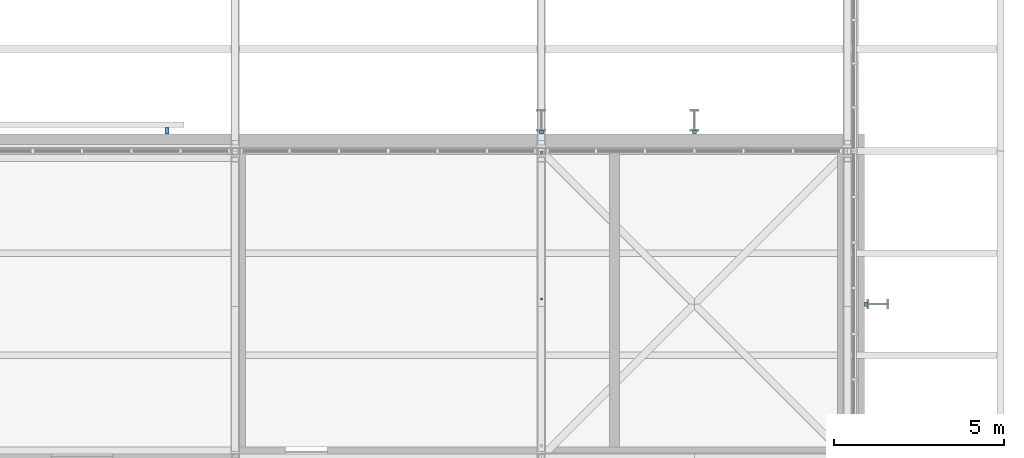
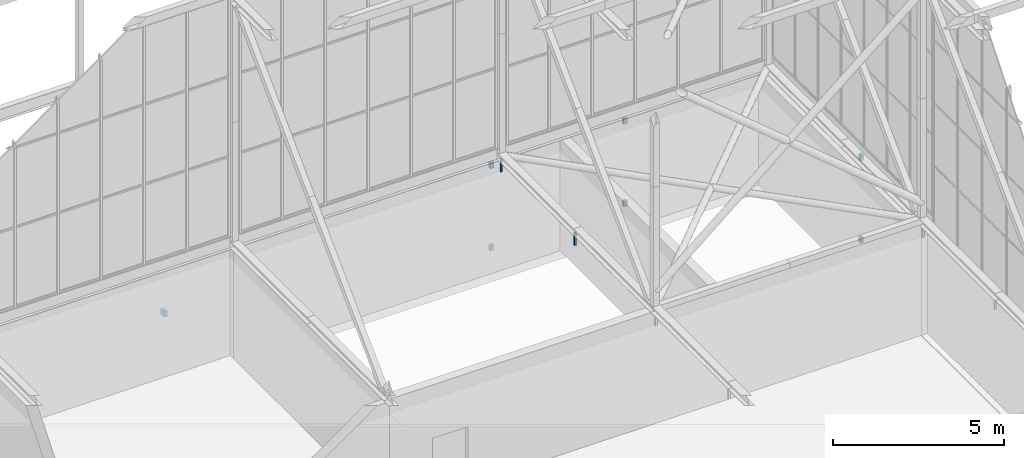
# One storey, part 234 of 646: 9 discrete accessories.
"""IFC4 building model written with IfcOpenShell, lengths in metres."""

from ifc_helpers import new_model, si_unit, direction, frame, origin, origin_2d, place, context, subcontext, project, spatial, rectangle, extrude, material, type_object, element, save


model = new_model("IFC4")

# Units and contexts
model_context = context("Model", 3, precision=1e-05, world=origin(), true_north=direction((0.0, 1.0)))
body_context = subcontext(model_context, "Body", "Model", "MODEL_VIEW")
ifc_project = project(units=[si_unit("LENGTHUNIT", "METRE"), si_unit("AREAUNIT", "SQUARE_METRE"), si_unit("VOLUMEUNIT", "CUBIC_METRE"), si_unit("PLANEANGLEUNIT", "RADIAN"), si_unit("MASSUNIT", "GRAM", prefix="KILO")], contexts=[model_context])

# Site, building, storey
site_placement = place(None, origin())
site = spatial("IfcSite", under=ifc_project, at=site_placement, CompositionType="ELEMENT")
building_placement = place(site_placement, origin())
building = spatial("IfcBuilding", under=site, at=building_placement, Name="Silverbay Arena", CompositionType="ELEMENT")
storey_placement = place(building_placement, frame((0.0, 0.0, 33.5)))
storey = spatial("IfcBuildingStorey", under=building, at=storey_placement, Name="L05", CompositionType="ELEMENT", Elevation=33.5)

# Discrete accessories
ifc_material_1 = material(Name="Steel S355", Category="steel")
discrete_accessory_type_1 = type_object("IfcDiscreteAccessoryType", Name="Ceiling hanger", PredefinedType="BRACKET", material=ifc_material_1)
for number, where, z_axis, x_axis, name in (
    (1, (198.0, 139.64990234375, 3.5498046875), (0.0, 0.0, 1.0), (1.0, 0.0, 0.0), "Ceiling hanger"),
    (2, (198.0, 143.9599609375, 3.5498046875), (0.0, 0.0, 1.0), (1.0, 0.0, 0.0), "Ceiling hanger"),
):
    element("IfcDiscreteAccessory", number, at=place(storey_placement, frame(where, z_axis=z_axis, x_axis=x_axis)), inside=storey, type_object=discrete_accessory_type_1, Name=name, PredefinedType="BRACKET", context=body_context, shape_type="SweptSolid", body=[
        extrude(rectangle(XDim=0.06005859375, YDim=0.06005859375, at=origin_2d()), origin(), (0.0, 0.0, 1.0), 0.449951171875),
    ])
ifc_material_2 = material(Name="Steel S355", Category="steel")
discrete_accessory_type_2 = type_object("IfcDiscreteAccessoryType", Name="Steel bracket plate", PredefinedType="BRACKET", material=ifc_material_2)
discrete_accessory_placement = place(storey_placement, frame((187.0, 144.60009765625, 1.89990234375), z_axis=(0.0, 0.0, 1.0), x_axis=(1.0, 0.0, 0.0)))
element("IfcDiscreteAccessory", 3, at=discrete_accessory_placement, inside=storey, type_object=discrete_accessory_type_2, Name="Louvre support bracket", PredefinedType="BRACKET", context=body_context, shape_type="SweptSolid", body=[
    extrude(rectangle(XDim=0.1201171875, YDim=0.199951171875, at=origin_2d()), origin(), (0.0, 0.0, 1.0), 0.199951171875),
])
for number, where, z_axis, x_axis, name in (
    (4, (207.550048828125, 139.5, 0.39990234375), (0.0, 0.0, 1.0), (1.0, 0.0, 0.0), "Fin bracket"),
    (5, (207.550048828125, 139.5, 3.33984375), (0.0, 0.0, 1.0), (1.0, 0.0, 0.0), "Fin bracket"),
):
    element("IfcDiscreteAccessory", number, at=place(storey_placement, frame(where, z_axis=z_axis, x_axis=x_axis)), inside=storey, type_object=discrete_accessory_type_2, Name=name, PredefinedType="BRACKET", context=body_context, shape_type="SweptSolid", body=[
        extrude(rectangle(XDim=0.10009765625, YDim=0.1201171875, at=origin_2d()), origin(), (0.0, 0.0, 1.0), 0.199951171875),
    ])
for number, where, z_axis, x_axis, name in (
    (6, (198.0, 144.550048828125, 0.39990234375), (0.0, 0.0, 1.0), (1.0, 0.0, 0.0), "Fin bracket"),
    (7, (198.0, 144.550048828125, 3.33984375), (0.0, 0.0, 1.0), (1.0, 0.0, 0.0), "Fin bracket"),
    (8, (202.5, 144.550048828125, 0.39990234375), (0.0, 0.0, 1.0), (1.0, 0.0, 0.0), "Fin bracket"),
    (9, (202.5, 144.550048828125, 3.33984375), (0.0, 0.0, 1.0), (1.0, 0.0, 0.0), "Fin bracket"),
):
    element("IfcDiscreteAccessory", number, at=place(storey_placement, frame(where, z_axis=z_axis, x_axis=x_axis)), inside=storey, type_object=discrete_accessory_type_2, Name=name, PredefinedType="BRACKET", context=body_context, shape_type="SweptSolid", body=[
        extrude(rectangle(XDim=0.1201171875, YDim=0.10009765625, at=origin_2d()), origin(), (0.0, 0.0, 1.0), 0.199951171875),
    ])

save(model, "model.ifc")
